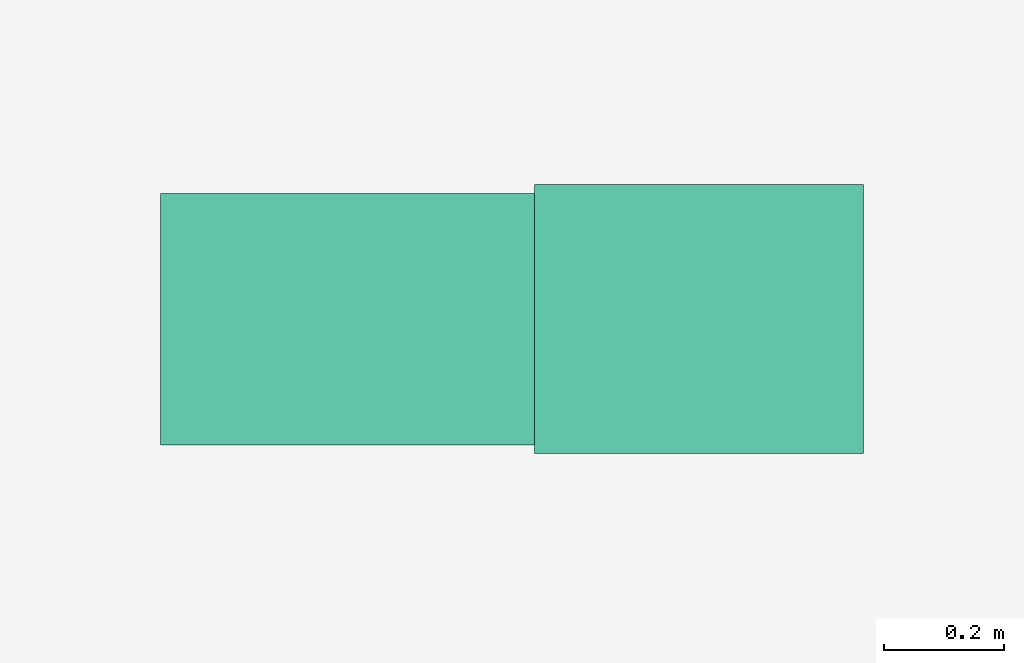
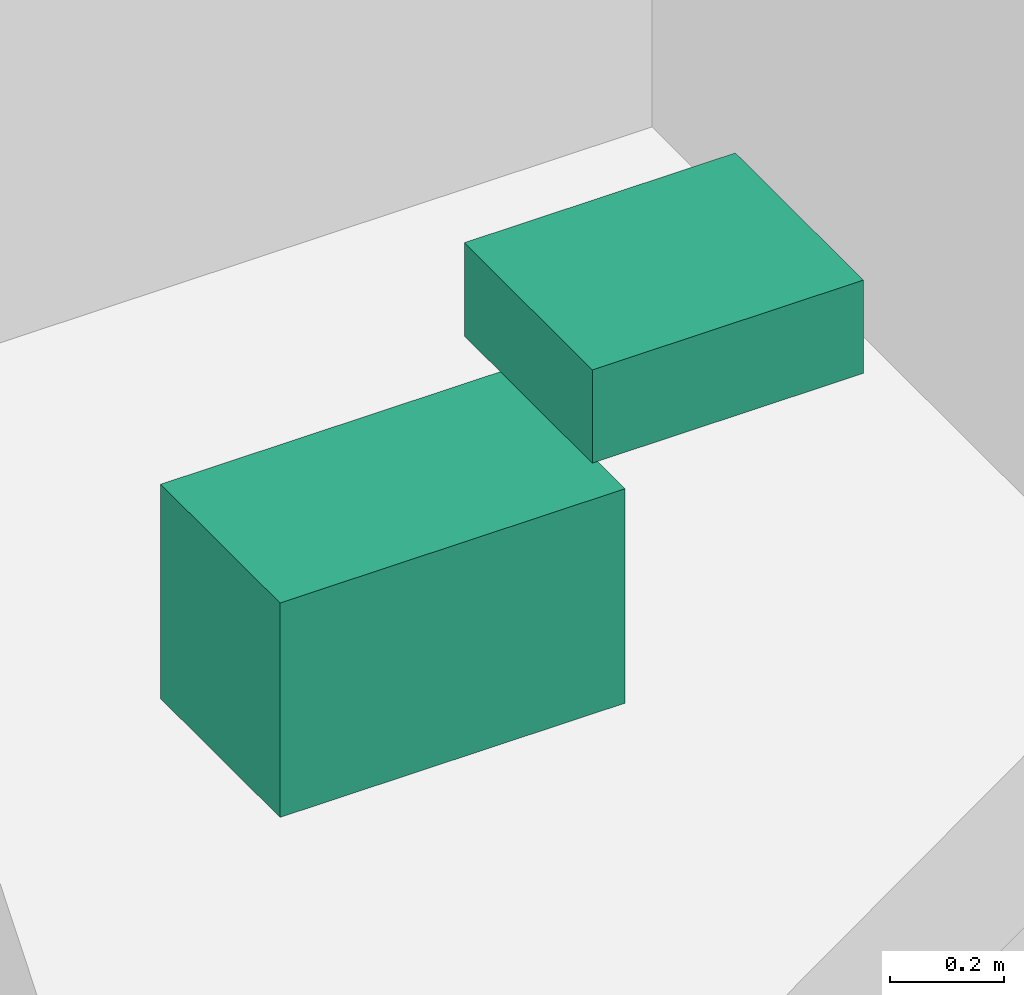
# One storey, part 11 of 11: 2 sanitary terminals.
"""IFC4 building model written with IfcOpenShell, lengths in metres."""

from ifc_helpers import new_model, si_unit, direction, frame, origin, origin_2d, place, context, subcontext, project, spatial, rectangle, extrude, material, type_object, element, save


model = new_model("IFC4")

# Units and contexts
model_context = context("Model", 3, precision=1e-05, world=origin(), true_north=direction((0.0, 1.0)))
body_context = subcontext(model_context, "Body", "Model", "MODEL_VIEW")
ifc_project = project(units=[si_unit("LENGTHUNIT", "METRE"), si_unit("AREAUNIT", "SQUARE_METRE"), si_unit("VOLUMEUNIT", "CUBIC_METRE"), si_unit("PLANEANGLEUNIT", "RADIAN"), si_unit("MASSUNIT", "GRAM", prefix="KILO")], contexts=[model_context])

# Site, building, storey
site_placement = place(None, origin())
site = spatial("IfcSite", under=ifc_project, at=site_placement, CompositionType="ELEMENT")
building_placement = place(site_placement, origin())
building = spatial("IfcBuilding", under=site, at=building_placement, Name="Surkhivell Harbour Commons", CompositionType="ELEMENT")
storey_placement = place(building_placement, frame((0.0, 0.0, 254.25)))
storey = spatial("IfcBuildingStorey", under=building, at=storey_placement, Name="L66", CompositionType="ELEMENT", Elevation=254.25)

# Sanitary terminals
ifc_material_1 = material(Name="Vitreous china washbasin", Category="other")
sanitary_terminal_type_1 = type_object("IfcSanitaryTerminalType", Name="SAN-BSN", PredefinedType="WASHHANDBASIN", material=ifc_material_1)
sanitary_terminal_1_placement = place(storey_placement, frame((1.89990234375, 2.89990234375, 0.72021484375), z_axis=(0.0, 0.0, 1.0), x_axis=(1.0, 0.0, 0.0)))
element("IfcSanitaryTerminal", 1, at=sanitary_terminal_1_placement, inside=storey, type_object=sanitary_terminal_type_1, Name="L66 Core Accessible WC Washbasin", PredefinedType="WASHHANDBASIN", context=body_context, shape_type="SweptSolid", body=[
    extrude(rectangle(XDim=0.550048828125, YDim=0.449951171875, at=origin_2d()), origin(), (0.0, 0.0, 1.0), 0.199951171875),
])
ifc_material_2 = material(Name="Vitreous china sanitaryware", Category="other")
sanitary_terminal_type_2 = type_object("IfcSanitaryTerminalType", Name="SAN-WC-ACC", PredefinedType="TOILETPAN", material=ifc_material_2)
sanitary_terminal_2_placement = place(storey_placement, frame((1.35009765625, 2.89990234375, 0.169921875), z_axis=(0.0, 0.0, 1.0), x_axis=(1.0, 0.0, 0.0)))
element("IfcSanitaryTerminal", 2, at=sanitary_terminal_2_placement, inside=storey, type_object=sanitary_terminal_type_2, Name="L66 Core Accessible WC", PredefinedType="TOILETPAN", context=body_context, shape_type="SweptSolid", body=[
    extrude(rectangle(XDim=0.699951171875, YDim=0.419921875, at=origin_2d()), origin(), (0.0, 0.0, 1.0), 0.4599609375),
])

save(model, "model.ifc")
